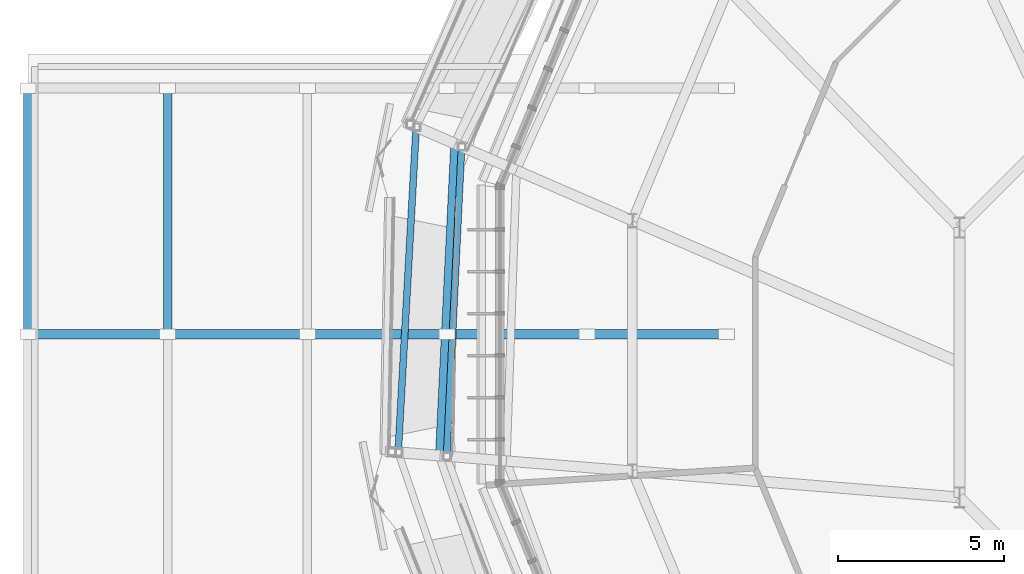
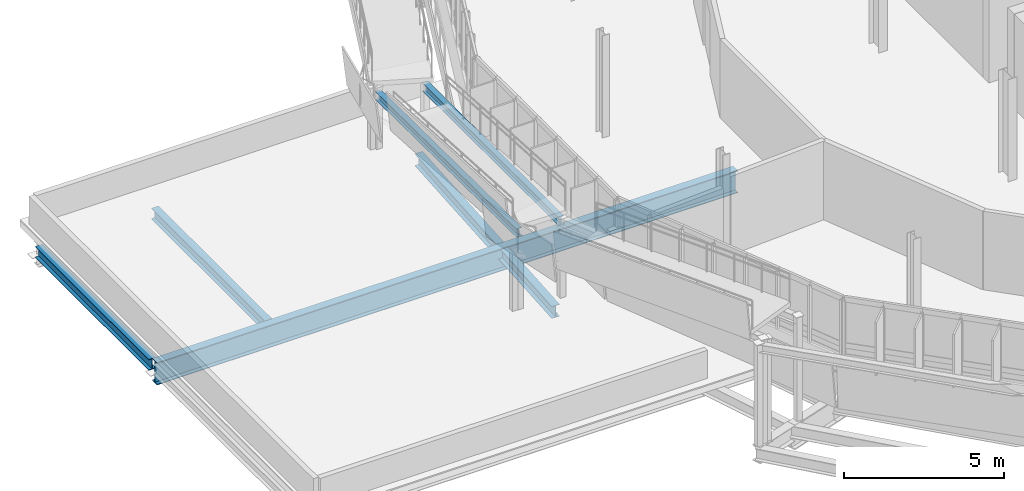
# One storey, part 13 of 61: 6 beams.
"""IFC4 building model written with IfcOpenShell, lengths in metres."""

from ifc_helpers import new_model, si_unit, derived_unit, direction, frame, origin, origin_2d, place, context, subcontext, project, spatial, i_section, extrude, material, material_profile, profile_set, type_object, element, save


model = new_model("IFC4")

# Units and contexts
model_context = context("Model", 3, precision=1e-05, world=origin(), true_north=direction((0.0, 1.0)))
body_context = subcontext(model_context, "Body", "Model", "MODEL_VIEW")
ifc_project = project(units=[si_unit("LENGTHUNIT", "METRE"), si_unit("AREAUNIT", "SQUARE_METRE"), si_unit("VOLUMEUNIT", "CUBIC_METRE"), si_unit("PLANEANGLEUNIT", "RADIAN"), si_unit("MASSUNIT", "GRAM", prefix="KILO"), derived_unit("THERMALTRANSMITTANCEUNIT", [(si_unit("MASSUNIT", "GRAM", prefix="KILO"), 1), (si_unit("TIMEUNIT", "SECOND"), -3), (si_unit("THERMODYNAMICTEMPERATUREUNIT", "KELVIN"), -1)])], contexts=[model_context])

# Site, building, storey
site_placement = place(None, origin())
site = spatial("IfcSite", under=ifc_project, at=site_placement, CompositionType="ELEMENT")
building_placement = place(site_placement, origin())
building = spatial("IfcBuilding", under=site, at=building_placement, Name="Makaiwela Harbour Ferry Terminal", CompositionType="ELEMENT")
storey_placement = place(building_placement, frame((0.0, 0.0, 13.800048828125)))
storey = spatial("IfcBuildingStorey", under=building, at=storey_placement, Name="L03", CompositionType="ELEMENT", Elevation=13.800048828125)

# Beams
ifc_material = material(Name="Steel ASTM A992 Grade 50", Category="steel")
ifc_material_profile_1 = material_profile(ifc_material, i_section(OverallWidth=0.280029296875, OverallDepth=0.462890625, WebThickness=0.0107421875, FlangeThickness=0.017333984375, at=origin_2d()), Name="W18X76")
ifc_profile_set_1 = profile_set([ifc_material_profile_1], Name="Steel ASTM A992 Grade 50")
beam_type_1 = type_object("IfcBeamType", Name="STR-BM-W18X76", PredefinedType="BEAM", material=ifc_profile_set_1)
beam_1_placement = place(storey_placement, frame((12.849609375, 74.172607421875, -0.486572265625), z_axis=(-0.049040970726, -0.998796767711, 0.0), x_axis=(0.998796767711, -0.049040970726, 0.0)))
element("IfcBeam", 1, at=beam_1_placement, inside=storey, type_object=beam_type_1, Name="Drum stage2 tie girder 343", PredefinedType="BEAM", context=body_context, shape_type="SweptSolid", body=[
    extrude(i_section(OverallWidth=0.280029296875, OverallDepth=0.462890625, WebThickness=0.0107421875, FlangeThickness=0.017333984375, at=origin_2d()), origin(), (0.0, 0.0, 1.0), 9.384033203125),
])
ifc_material_profile_2 = material_profile(ifc_material, i_section(OverallWidth=0.2939453125, OverallDepth=0.85107421875, WebThickness=0.01611328125, FlangeThickness=0.02685546875, at=origin_2d()), Name="W33X152")
ifc_profile_set_2 = profile_set([ifc_material_profile_2], Name="Steel ASTM A992 Grade 50")
beam_type_2 = type_object("IfcBeamType", Name="STR-GRD-W33X152", PredefinedType="USERDEFINED", material=ifc_profile_set_2)
beam_2_placement = place(storey_placement, frame((0.0, 68.449951171875, -0.66552734375), z_axis=(1.0, 0.0, 0.0), x_axis=(0.0, 1.0, 0.0)))
element("IfcBeam", 2, at=beam_2_placement, inside=storey, type_object=beam_type_2, Name="West bridge truss top chord 2", ObjectType="GIRDER", PredefinedType="USERDEFINED", context=body_context, shape_type="SweptSolid", body=[
    extrude(i_section(OverallWidth=0.2939453125, OverallDepth=0.85107421875, WebThickness=0.01611328125, FlangeThickness=0.02685546875, at=origin_2d()), origin(), (0.0, 0.0, 1.0), 21.0),
])
ifc_material_profile_3 = material_profile(ifc_material, i_section(OverallWidth=0.260986328125, OverallDepth=0.4189453125, WebThickness=0.01171875, FlangeThickness=0.019287109375, at=origin_2d()), Name="W16X77")
ifc_profile_set_3 = profile_set([ifc_material_profile_3], Name="Steel ASTM A992 Grade 50")
beam_type_3 = type_object("IfcBeamType", Name="STR-JST-W16X77", PredefinedType="JOIST", material=ifc_profile_set_3)
for number, where, z_axis, x_axis, name in (
    (3, (4.199951171875, 68.591064453125, -0.449462890625), (0.0, 1.0, 0.0), (-1.0, 0.0, 0.0), "Structural Beam J-02"),
    (4, (0.0, 68.591064453125, -0.449462890625), (0.0, 1.0, 0.0), (-1.0, 0.0, 0.0), "Structural Beam J-02"),
):
    element("IfcBeam", number, at=place(storey_placement, frame(where, z_axis=z_axis, x_axis=x_axis)), inside=storey, type_object=beam_type_3, Name=name, PredefinedType="JOIST", context=body_context, shape_type="SweptSolid", body=[
        extrude(i_section(OverallWidth=0.260986328125, OverallDepth=0.4189453125, WebThickness=0.01171875, FlangeThickness=0.019287109375, at=origin_2d()), origin(), (0.0, 0.0, 1.0), 7.117919921875),
    ])
ifc_material_profile_4 = material_profile(ifc_material, i_section(OverallWidth=0.205078125, OverallDepth=0.31005859375, WebThickness=0.009521484375, FlangeThickness=0.016357421875, at=origin_2d()), Name="W12X50")
ifc_profile_set_4 = profile_set([ifc_material_profile_4], Name="Steel ASTM A992 Grade 50")
beam_type_4 = type_object("IfcBeamType", Name="STR-LNT-W12X50", PredefinedType="LINTEL", material=ifc_profile_set_4)
beam_3_placement = place(storey_placement, frame((13.034912109375, 74.09228515625, 2.27001953125), z_axis=(-0.047956501706, -0.996423727809, 0.06956959539), x_axis=(0.998843826038, -0.0480729777, 0.0)))
element("IfcBeam", 5, at=beam_3_placement, inside=storey, type_object=beam_type_4, Name="Coiled Ramp Stringer L03-F5-IN", PredefinedType="LINTEL", context=body_context, shape_type="SweptSolid", body=[
    extrude(i_section(OverallWidth=0.205078125, OverallDepth=0.31005859375, WebThickness=0.009521484375, FlangeThickness=0.016357421875, at=origin_2d()), origin(), (0.0, 0.0, 1.0), 9.341796875),
])
beam_4_placement = place(storey_placement, frame((11.67138671875, 74.68359375, 2.06591796875), z_axis=(-0.055112044412, -0.994722751149, 0.086540804874), x_axis=(0.998468699233, -0.055319586521, 0.0)))
element("IfcBeam", 6, at=beam_4_placement, inside=storey, type_object=beam_type_4, Name="Coiled Ramp Stringer L03-F5-OUT", PredefinedType="LINTEL", context=body_context, shape_type="SweptSolid", body=[
    extrude(i_section(OverallWidth=0.205078125, OverallDepth=0.31005859375, WebThickness=0.009521484375, FlangeThickness=0.016357421875, at=origin_2d()), origin(), (0.0, 0.0, 1.0), 9.83447265625),
])

save(model, "model.ifc")
